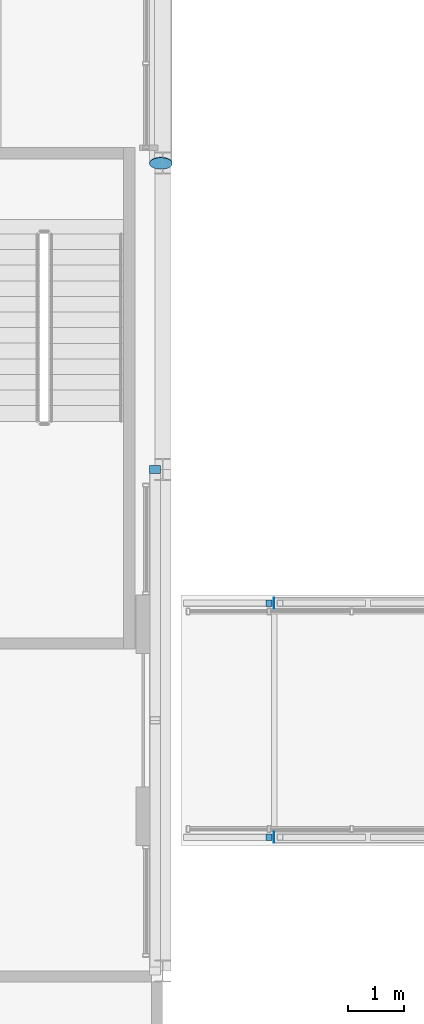
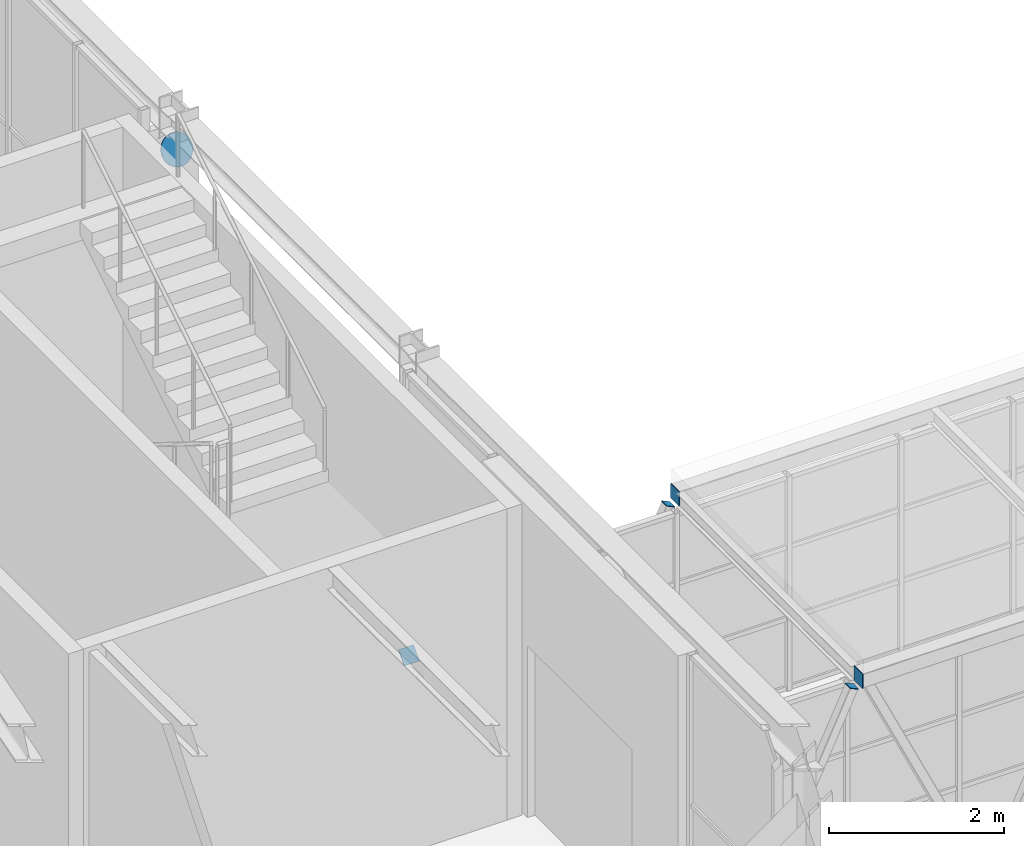
# One storey, part 119 of 149: 6 discrete accessories.
"""IFC4 building model written with IfcOpenShell, lengths in metres."""

import ifcopenshell
import ifcopenshell.guid

model = None  # the IFC model being written
_history = None  # IfcOwnerHistory: only IFC2X3 demands one
_inside = {}  # id of a spatial element -> (the spatial element, [elements in it])
_under = {}  # id of a project, library or spatial element -> (it, [spatial elements below it])
_declared = {}  # id of a project -> (the project, [libraries it declares])
_typed = {}  # id of a type object -> (the type object, [elements of that type])
_made_of = {}  # id of a material, layer set ... -> (it, [elements and type objects made of it])


def new_model(schema):
    """Start an empty IFC model of exactly this schema.

    Asked for "IFC4X3", IfcOpenShell would pick the latest addendum, in which some entities
    have other attributes; the version numbers below select the first issue.
    IFC2X3 requires an IfcOwnerHistory on every rooted entity: one is made here for all.
    """
    global model, _history
    if schema == "IFC4X3":
        model = ifcopenshell.file(schema_version=(4, 3, 0, 0))
    else:
        model = ifcopenshell.file(schema=schema)
    _inside.clear()
    _under.clear()
    _declared.clear()
    _typed.clear()
    _made_of.clear()
    _history = None
    if model.schema == "IFC2X3":
        org = make("IfcOrganization", Name="unknown")
        user = make(
            "IfcPersonAndOrganization",
            ThePerson=make("IfcPerson", FamilyName="unknown"),
            TheOrganization=org,
        )
        app = make(
            "IfcApplication",
            ApplicationDeveloper=org,
            Version="unknown",
            ApplicationFullName="unknown",
            ApplicationIdentifier="unknown",
        )
        _history = make(
            "IfcOwnerHistory",
            OwningUser=user,
            OwningApplication=app,
            ChangeAction="ADDED",
            CreationDate=0,
        )
    return model


def make(cls, **values):
    """One entity of the class cls with the attributes given. An attribute that is None is left unset."""
    return model.create_entity(
        cls, **{name: value for name, value in values.items() if value is not None}
    )


def rooted(cls, **values):
    """An entity with a GlobalId (a new one), such as an element, a storey or a relation."""
    return make(cls, GlobalId=ifcopenshell.guid.new(), OwnerHistory=_history, **values)


def si_unit(unit_type, name, prefix=None):
    """IfcSIUnit, for example si_unit("LENGTHUNIT", "METRE", prefix="MILLI")."""
    return make("IfcSIUnit", UnitType=unit_type, Prefix=prefix, Name=name)


def assignment(units):
    """IfcUnitAssignment: the units of a project."""
    return None if units is None else make("IfcUnitAssignment", Units=units)


def point(xyz):
    """IfcCartesianPoint."""
    return None if xyz is None else make("IfcCartesianPoint", Coordinates=xyz)


def direction(xyz):
    """IfcDirection."""
    return None if xyz is None else make("IfcDirection", DirectionRatios=xyz)


def frame(location, z_axis=None, x_axis=None):
    """IfcAxis2Placement3D, a coordinate frame: its origin and axes. An axis left out is left unset."""
    return make(
        "IfcAxis2Placement3D",
        Location=point(location),
        Axis=direction(z_axis),
        RefDirection=direction(x_axis),
    )


def frame_2d(location, x_axis=None):
    """IfcAxis2Placement2D, a coordinate frame in the plane: its origin and x axis."""
    return make(
        "IfcAxis2Placement2D", Location=point(location), RefDirection=direction(x_axis)
    )


def origin():
    """The frame at (0, 0, 0) with its axes left unset."""
    return frame((0.0, 0.0, 0.0))


def origin_2d():
    """The frame at (0, 0) in the plane with its x axis left unset."""
    return frame_2d((0.0, 0.0))


def place(relative_to, where):
    """IfcLocalPlacement: puts the frame where relative to a parent placement (None: the world)."""
    return make(
        "IfcLocalPlacement", PlacementRelTo=relative_to, RelativePlacement=where
    )


def context(
    kind, dimensions, precision=None, world=None, true_north=None, identifier=None
):
    """IfcGeometricRepresentationContext, for example the 3D "Model" context."""
    return make(
        "IfcGeometricRepresentationContext",
        ContextIdentifier=identifier,
        ContextType=kind,
        CoordinateSpaceDimension=dimensions,
        Precision=precision,
        WorldCoordinateSystem=world,
        TrueNorth=true_north,
    )


def subcontext(parent, identifier, kind, view, scale=None):
    """IfcGeometricRepresentationSubContext, for example "Body" below "Model"."""
    return make(
        "IfcGeometricRepresentationSubContext",
        ContextIdentifier=identifier,
        ContextType=kind,
        ParentContext=parent,
        TargetScale=scale,
        TargetView=view,
    )


def project(units=None, contexts=None):
    """IfcProject with its units and contexts."""
    return rooted(
        "IfcProject",
        Name="project",
        RepresentationContexts=contexts,
        UnitsInContext=assignment(units),
    )


def spatial(cls, under=None, at=None, **own):
    """A site, building, storey or space (cls), placed at a placement, below another one or the project."""
    s = rooted(cls, ObjectPlacement=at, **own)
    if under is not None:
        _under.setdefault(under.id(), (under, []))[1].append(s)
    return s


def profile(cls, at=None, kind="AREA", **sizes):
    """A parametric profile (cls). Its sizes go by their IFC names, for example OverallWidth=200.0."""
    return make(cls, ProfileType=kind, Position=at, **sizes)


def rectangle(**sizes):
    """IfcRectangleProfileDef."""
    return profile("IfcRectangleProfileDef", **sizes)


def circle(**sizes):
    """IfcCircleProfileDef."""
    return profile("IfcCircleProfileDef", **sizes)


def extrude(swept, where, along, depth):
    """IfcExtrudedAreaSolid: the profile swept, set in the frame where, extruded along a direction by depth."""
    return make(
        "IfcExtrudedAreaSolid",
        SweptArea=swept,
        Position=where,
        ExtrudedDirection=direction(along),
        Depth=depth,
    )


def shape(context_of_items, identifier, shape_type, items):
    """IfcShapeRepresentation: the items that make up one representation, for example the "Body"."""
    return make(
        "IfcShapeRepresentation",
        ContextOfItems=context_of_items,
        RepresentationIdentifier=identifier,
        RepresentationType=shape_type,
        Items=items,
    )


def material(Name=None, Category=None):
    """IfcMaterial."""
    return make("IfcMaterial", Name=Name, Category=Category)


def material_profile(
    of_material, cross_section, Name=None, Category=None, Priority=None
):
    """IfcMaterialProfile: a cross section and its material."""
    return make(
        "IfcMaterialProfile",
        Name=Name,
        Material=of_material,
        Profile=cross_section,
        Priority=Priority,
        Category=Category,
    )


def profile_set(profiles, Name=None, composite=None):
    """IfcMaterialProfileSet."""
    return make(
        "IfcMaterialProfileSet",
        Name=Name,
        MaterialProfiles=profiles,
        CompositeProfile=composite,
    )


def made_of(thing, what):
    """Note that an element or type object is made of a material, layer set ...; save() writes the relation."""
    if what is not None:
        _made_of.setdefault(what.id(), (what, []))[1].append(thing)
    return thing


def type_object(cls, material=None, **own):
    """A type object (cls), such as IfcWallType, which elements share."""
    return made_of(rooted(cls, **own), material)


def element(
    cls,
    number,
    at=None,
    inside=None,
    cuts=None,
    type_object=None,
    material=None,
    context=None,
    identifier="Body",
    shape_type=None,
    held_by="IfcProductDefinitionShape",
    body=None,
    shapes=None,
    **own,
):
    """One element of the class cls, such as IfcWall. Its Tag is "e" and its number.

    at: its placement. inside: the storey or other place that contains it. cuts: it is an
    opening in that element (IfcRelVoidsElement). A single representation is given by context,
    identifier, shape_type and body (its items); several are given by shapes. held_by: the class
    of the entity that holds the representations. save() writes the other relations.
    """
    e = rooted(cls, Tag="e%d" % number, ObjectPlacement=at, **own)
    if body is not None:
        shapes = [shape(context, identifier, shape_type, body)]
    if shapes is not None:
        e.Representation = make(held_by, Representations=shapes)
    if inside is not None:
        _inside.setdefault(inside.id(), (inside, []))[1].append(e)
    if cuts is not None:
        rooted(
            "IfcRelVoidsElement", RelatingBuildingElement=cuts, RelatedOpeningElement=e
        )
    if type_object is not None:
        _typed.setdefault(type_object.id(), (type_object, []))[1].append(e)
    return made_of(e, material)


def aggregate(whole, parts):
    """IfcRelAggregates: a whole, such as a stair, and the parts it consists of."""
    return rooted("IfcRelAggregates", RelatingObject=whole, RelatedObjects=parts)


def save(model, path):
    """Write the relations noted so far, then the file.

    IfcRelAggregates (storeys below a building ...), IfcRelContainedInSpatialStructure (elements
    in a storey), IfcRelDefinesByType, IfcRelAssociatesMaterial and IfcRelDeclares: one each for
    every whole, place, type object, material and project.
    """
    for whole, parts in _under.values():
        aggregate(whole, parts)
    for where, things in _inside.values():
        rooted(
            "IfcRelContainedInSpatialStructure",
            RelatedElements=things,
            RelatingStructure=where,
        )
    for kind, things in _typed.values():
        rooted("IfcRelDefinesByType", RelatedObjects=things, RelatingType=kind)
    for what, things in _made_of.values():
        rooted("IfcRelAssociatesMaterial", RelatedObjects=things, RelatingMaterial=what)
    for by, libraries in _declared.values():
        rooted("IfcRelDeclares", RelatingContext=by, RelatedDefinitions=libraries)
    model.write(path)


model = new_model("IFC4")

# Units and contexts
model_context = context("Model", 3, precision=1e-05, world=origin(), true_north=direction((0.0, 1.0)))
body_context = subcontext(model_context, "Body", "Model", "MODEL_VIEW")
ifc_project = project(units=[si_unit("LENGTHUNIT", "METRE"), si_unit("AREAUNIT", "SQUARE_METRE"), si_unit("VOLUMEUNIT", "CUBIC_METRE"), si_unit("PLANEANGLEUNIT", "RADIAN"), si_unit("MASSUNIT", "GRAM", prefix="KILO")], contexts=[model_context])

# Site, building, storey
site_placement = place(None, origin())
site = spatial("IfcSite", under=ifc_project, at=site_placement, CompositionType="ELEMENT")
building_placement = place(site_placement, origin())
building = spatial("IfcBuilding", under=site, at=building_placement, Name="Kallimachos Central Library", CompositionType="ELEMENT")
storey_placement = place(building_placement, frame((0.0, 0.0, 9.89990234375)))
storey = spatial("IfcBuildingStorey", under=building, at=storey_placement, Name="L02", CompositionType="ELEMENT", Elevation=9.89990234375)

# Discrete accessories
ifc_material_1 = material(Name="Steel S355J2", Category="steel")
ifc_material_profile_1 = material_profile(ifc_material_1, rectangle(XDim=0.1201171875, YDim=0.1201171875, at=origin_2d()), Name="End cap plate 10, 120x120")
ifc_profile_set_1 = profile_set([ifc_material_profile_1], Name="Steel S355J2")
discrete_accessory_type_1 = type_object("IfcDiscreteAccessoryType", Name="End cap plate 10, 120x120", PredefinedType="BRACKET", material=ifc_profile_set_1)
for number, where, z_axis, x_axis, name in (
    (1, (112.40478515625, 98.39990234375, 3.0), (0.417500171551, 0.0, 0.908676843963), (0.0, 1.0, 0.0), "End cap plate"),
    (2, (112.40478515625, 102.60009765625, 3.0), (0.417500171551, 0.0, 0.908676843963), (0.0, 1.0, 0.0), "End cap plate"),
):
    element("IfcDiscreteAccessory", number, at=place(storey_placement, frame(where, z_axis=z_axis, x_axis=x_axis)), inside=storey, type_object=discrete_accessory_type_1, Name=name, PredefinedType="BRACKET", context=body_context, shape_type="SweptSolid", body=[
        extrude(rectangle(XDim=0.1201171875, YDim=0.1201171875, at=origin_2d()), origin(), (0.0, 0.0, 1.0), 0.010009765625),
    ])
ifc_material_2 = material(Name="Steel S355J2", Category="steel")
ifc_material_profile_2 = material_profile(ifc_material_2, rectangle(XDim=0.199951171875, YDim=0.199951171875, at=origin_2d()), Name="End cap plate 10, 200x200")
ifc_profile_set_2 = profile_set([ifc_material_profile_2], Name="Steel S355J2")
discrete_accessory_type_2 = type_object("IfcDiscreteAccessoryType", Name="End cap plate 10, 200x200", PredefinedType="BRACKET", material=ifc_profile_set_2)
for number, where, z_axis, x_axis, name in (
    (3, (110.364990234375, 105.00732421875, 0.143310546875), (0.0, -0.731055268243, 0.68231825036), (1.0, 0.0, 0.0), "End cap plate"),
    (4, (112.49462890625, 98.39990234375, 3.10009765625), (1.0, 0.0, 0.0), (0.0, 1.0, 0.0), "End cap plate"),
    (5, (112.49462890625, 102.60009765625, 3.10009765625), (1.0, 0.0, 0.0), (0.0, 1.0, 0.0), "End cap plate"),
):
    element("IfcDiscreteAccessory", number, at=place(storey_placement, frame(where, z_axis=z_axis, x_axis=x_axis)), inside=storey, type_object=discrete_accessory_type_2, Name=name, PredefinedType="BRACKET", context=body_context, shape_type="SweptSolid", body=[
        extrude(rectangle(XDim=0.199951171875, YDim=0.199951171875, at=origin_2d()), origin(), (0.0, 0.0, 1.0), 0.010009765625),
    ])
ifc_material_3 = material(Name="Steel S355J2", Category="steel")
ifc_material_profile_3 = material_profile(ifc_material_3, circle(Radius=0.203125, at=origin_2d()), Name="End cap plate 10, round 406.4")
ifc_profile_set_3 = profile_set([ifc_material_profile_3], Name="Steel S355J2")
discrete_accessory_type_3 = type_object("IfcDiscreteAccessoryType", Name="End cap plate 10, round 406.4", PredefinedType="BRACKET", material=ifc_profile_set_3)
discrete_accessory_placement = place(storey_placement, frame((110.46826171875, 110.491455078125, 3.855224609375), z_axis=(0.0, 0.857492925713, -0.514495755428), x_axis=(-1.0, 0.0, 0.0)))
element("IfcDiscreteAccessory", 6, at=discrete_accessory_placement, inside=storey, type_object=discrete_accessory_type_3, Name="End cap plate", PredefinedType="BRACKET", context=body_context, shape_type="SweptSolid", body=[
    extrude(circle(Radius=0.203125, at=origin_2d()), origin(), (0.0, 0.0, 1.0), 0.010009765625),
])

save(model, "model.ifc")
